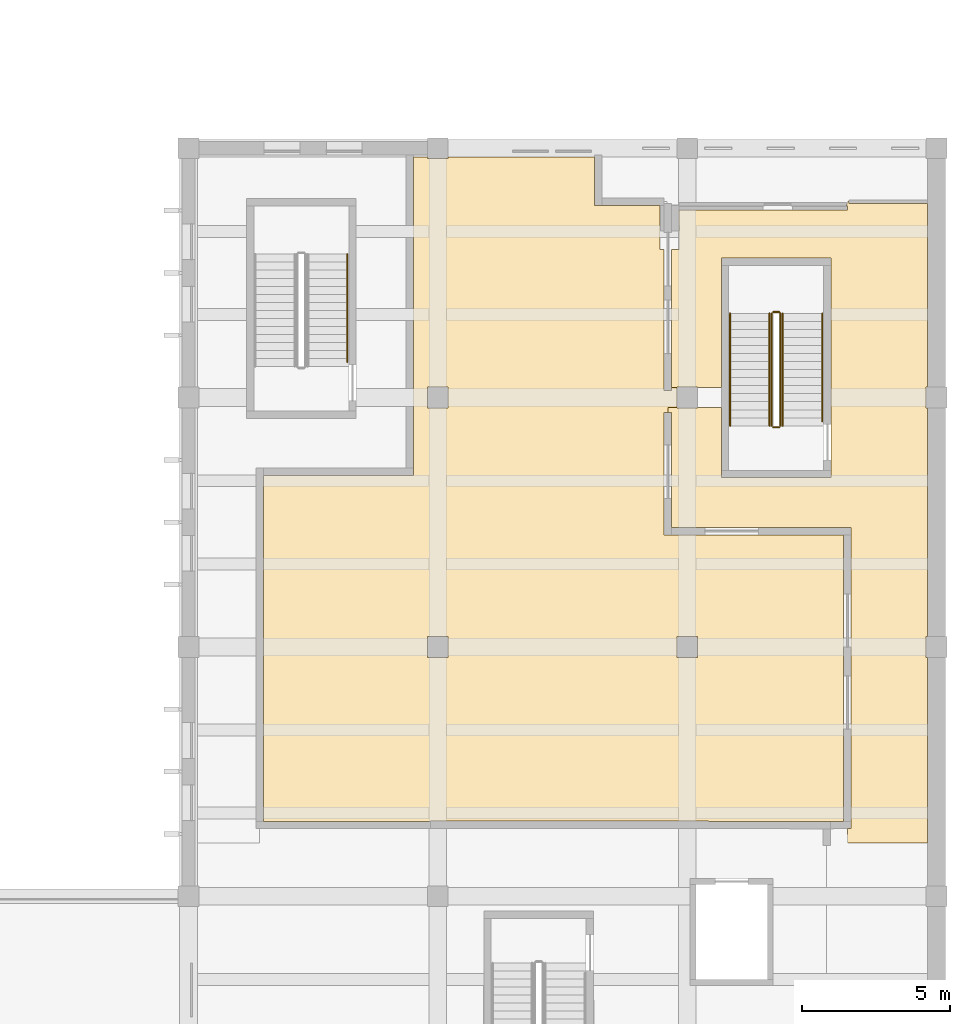
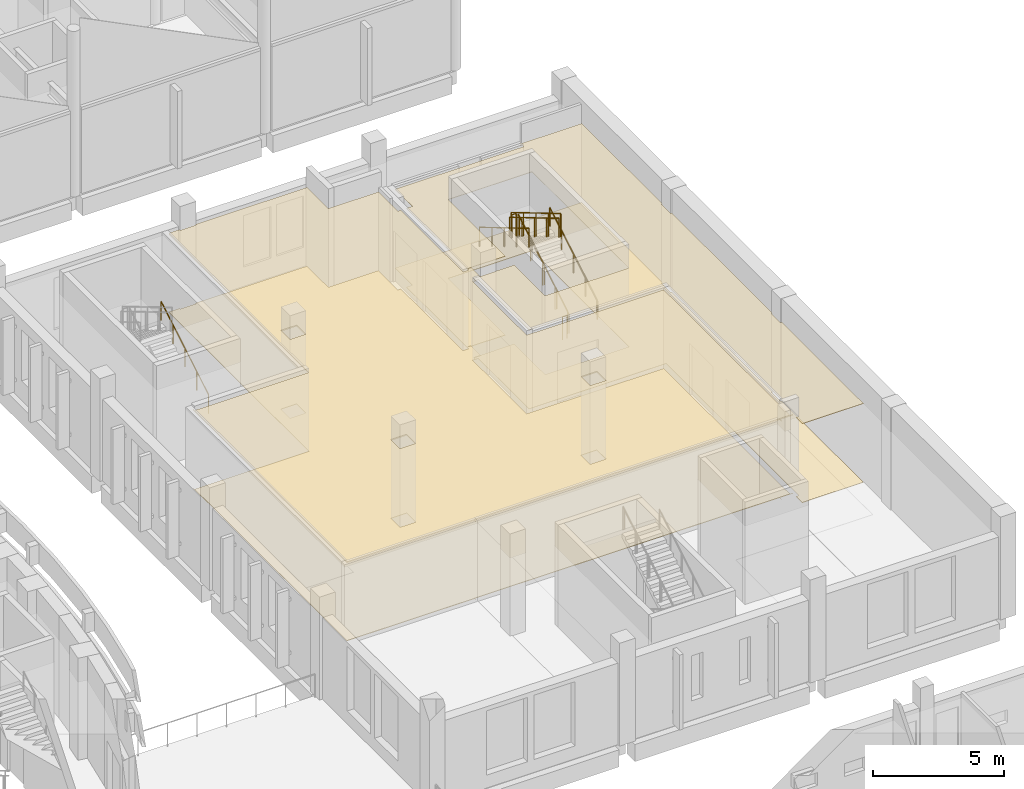
# One storey, part 117 of 119: 9 railings, 4 coverings.
"""IFC4 building model written with IfcOpenShell, lengths in metres."""

from ifc_helpers import new_model, si_unit, direction, frame, origin, origin_2d, place, context, subcontext, project, spatial, polyline, circle, outline, extrude, material, layer, layer_set, type_object, element, save


model = new_model("IFC4")

# Units and contexts
model_context = context("Model", 3, precision=1e-05, world=origin(), true_north=direction((0.0, 1.0)))
body_context = subcontext(model_context, "Body", "Model", "MODEL_VIEW")
ifc_project = project(units=[si_unit("LENGTHUNIT", "METRE"), si_unit("AREAUNIT", "SQUARE_METRE"), si_unit("VOLUMEUNIT", "CUBIC_METRE"), si_unit("PLANEANGLEUNIT", "RADIAN"), si_unit("MASSUNIT", "GRAM", prefix="KILO")], contexts=[model_context])

# Site, building, storey
site_placement = place(None, origin())
site = spatial("IfcSite", under=ifc_project, at=site_placement, CompositionType="ELEMENT")
building_placement = place(site_placement, origin())
building = spatial("IfcBuilding", under=site, at=building_placement, Name="Larchfold Concert Hall", CompositionType="ELEMENT")
storey_placement = place(building_placement, frame((0.0, 0.0, 4.800048828125)))
storey = spatial("IfcBuildingStorey", under=building, at=storey_placement, Name="L01", CompositionType="ELEMENT", Elevation=4.800048828125)

# Coverings
ifc_material_1 = material(Name="Acoustic timber lining", Category="wood")
ifc_layer_1 = layer(ifc_material_1, 0.06005859375)
ifc_layer_set_1 = layer_set([ifc_layer_1], Name="Acoustic timber lining")
covering_type_1 = type_object("IfcCoveringType", Name="Ceiling acoustic timber lining 60", PredefinedType="CEILING", material=ifc_layer_set_1)
covering_1_placement = place(storey_placement, frame((0.0, 0.0, 3.639892578125)))
element("IfcCovering", 1, at=covering_1_placement, inside=storey, type_object=covering_type_1, Name="Ceiling Chamber Music Hall", PredefinedType="CEILING", context=body_context, shape_type="SweptSolid", body=[
    extrude(outline(polyline([(78.725341796875, 90.375244140625), (78.72509765625, 90.500244140625), (78.72509765625, 78.72607421875), (84.34912109375, 78.72607421875), (84.34912109375, 78.6005859375), (84.350341796875, 78.737060546875), (97.82421875, 78.723876953125), (97.823974609375, 78.600341796875), (97.82470703125, 78.72509765625), (98.39990234375, 78.725830078125), (98.27490234375, 78.72607421875), (98.27490234375, 88.375), (98.39990234375, 88.375), (92.22705078125, 88.37890625), (92.22607421875, 92.5048828125), (92.35107421875, 92.5048828125), (92.35107421875, 92.6298828125), (92.6533203125, 92.630126953125), (92.68310546875, 92.64990234375), (92.64990234375, 92.64990234375), (92.64990234375, 93.35009765625), (92.688720703125, 93.35009765625), (92.65625, 93.36962890625), (92.47607421875, 93.369873046875), (92.47607421875, 93.2451171875), (92.22607421875, 93.2451171875), (92.225341796875, 97.993896484375), (92.091796875, 97.993896484375), (92.091796875, 99.47509765625), (89.87939453125, 99.476806640625), (89.875, 101.099853515625), (84.9501953125, 101.099853515625), (84.9501953125, 101.0498046875), (84.25, 101.0498046875), (84.25, 101.099853515625), (83.77490234375, 101.099853515625), (83.774169921875, 90.381103515625), (78.725341796875, 90.375244140625)]), holes=[polyline([(92.64990234375, 84.9501953125), (93.35009765625, 84.9501953125), (93.35009765625, 84.25), (92.64990234375, 84.25), (92.64990234375, 84.9501953125)]), polyline([(84.25, 84.25), (84.25, 84.9501953125), (84.9501953125, 84.9501953125), (84.9501953125, 84.25), (84.25, 84.25)]), polyline([(84.25, 93.35009765625), (84.9501953125, 93.35009765625), (84.9501953125, 92.64990234375), (84.25, 92.64990234375), (84.25, 93.35009765625)])]), origin(), (0.0, 0.0, 1.0), 0.06005859375),
])
ifc_material_2 = material(Name="Mineral fibre ceiling tile")
ifc_layer_2 = layer(ifc_material_2, 0.02001953125)
ifc_layer_set_2 = layer_set([ifc_layer_2], Name="Mineral fibre ceiling tile")
covering_type_2 = type_object("IfcCoveringType", Name="Ceiling mineral fibre tile 20", PredefinedType="CEILING", material=ifc_layer_set_2)
covering_2_placement = place(storey_placement, frame((0.0, 0.0, 3.679931640625)))
element("IfcCovering", 2, at=covering_2_placement, inside=storey, type_object=covering_type_2, Name="Ceiling Corridor 03", PredefinedType="CEILING", context=body_context, shape_type="SweptSolid", body=[
    extrude(outline(polyline([(92.47607421875, 92.5048828125), (92.47705078125, 88.5009765625), (92.47705078125, 88.62890625), (98.52490234375, 88.625), (98.525146484375, 78.47607421875), (98.39990234375, 78.475830078125), (98.39990234375, 78.0), (101.099853515625, 78.0), (101.099853515625, 84.25), (101.0498046875, 84.25), (101.0498046875, 84.9501953125), (101.099853515625, 84.9501953125), (101.099853515625, 92.64990234375), (101.0498046875, 92.64990234375), (101.0498046875, 93.35009765625), (101.099853515625, 93.35009765625), (101.099853515625, 99.53759765625), (98.452392578125, 99.53759765625), (98.452392578125, 99.60009765625), (98.389892578125, 99.60009765625), (98.389404296875, 99.525146484375), (98.3701171875, 99.50927734375), (98.3701171875, 99.45068359375), (98.406005859375, 99.45068359375), (98.406005859375, 99.3134765625), (92.733154296875, 99.3134765625), (92.734130859375, 97.994140625), (92.475341796875, 97.994140625), (92.47607421875, 93.340087890625), (92.64990234375, 93.33984375), (92.64990234375, 93.35009765625), (93.35009765625, 93.35009765625), (93.35009765625, 93.340087890625), (94.14990234375, 93.340087890625), (94.14990234375, 97.699951171875), (97.85009765625, 97.699951171875), (97.85009765625, 90.300048828125), (94.14990234375, 90.300048828125), (94.14990234375, 92.659912109375), (93.35009765625, 92.66455078125), (93.35009765625, 92.64990234375), (92.64990234375, 92.64990234375), (92.64990234375, 92.670166015625), (92.3505859375, 92.659912109375), (92.3505859375, 92.5048828125), (92.47607421875, 92.5048828125)])), origin(), (0.0, 0.0, 1.0), 0.02001953125),
])
ifc_material_3 = material(Name="Oak boards on battens")
ifc_layer_3 = layer(ifc_material_3, 0.02490234375)
ifc_layer_set_3 = layer_set([ifc_layer_3], Name="Oak boards on battens")
covering_type_3 = type_object("IfcCoveringType", Name="Floor finish timber boards 25", PredefinedType="FLOORING", material=ifc_layer_set_3)
covering_3_placement = place(storey_placement, origin())
element("IfcCovering", 3, at=covering_3_placement, inside=storey, type_object=covering_type_3, Name="Floor finish Chamber Music Hall", PredefinedType="FLOORING", context=body_context, shape_type="SweptSolid", body=[
    extrude(outline(polyline([(78.725341796875, 90.375244140625), (78.72509765625, 90.500244140625), (78.72509765625, 78.72607421875), (84.34912109375, 78.72607421875), (84.34912109375, 78.6005859375), (84.350341796875, 78.737060546875), (97.82421875, 78.723876953125), (97.823974609375, 78.600341796875), (97.82470703125, 78.72509765625), (98.39990234375, 78.725830078125), (98.27490234375, 78.72607421875), (98.27490234375, 88.375), (98.39990234375, 88.375), (92.22705078125, 88.37890625), (92.22607421875, 92.5048828125), (92.35107421875, 92.5048828125), (92.35107421875, 92.6298828125), (92.6533203125, 92.630126953125), (92.68310546875, 92.64990234375), (92.64990234375, 92.64990234375), (92.64990234375, 93.35009765625), (92.688720703125, 93.35009765625), (92.65625, 93.36962890625), (92.47607421875, 93.369873046875), (92.47607421875, 93.2451171875), (92.22607421875, 93.2451171875), (92.225341796875, 97.993896484375), (92.091796875, 97.993896484375), (92.091796875, 99.47509765625), (89.87939453125, 99.476806640625), (89.875, 101.099853515625), (84.9501953125, 101.099853515625), (84.9501953125, 101.0498046875), (84.25, 101.0498046875), (84.25, 101.099853515625), (83.77490234375, 101.099853515625), (83.774169921875, 90.381103515625), (78.725341796875, 90.375244140625)]), holes=[polyline([(92.64990234375, 84.9501953125), (93.35009765625, 84.9501953125), (93.35009765625, 84.25), (92.64990234375, 84.25), (92.64990234375, 84.9501953125)]), polyline([(84.25, 84.25), (84.25, 84.9501953125), (84.9501953125, 84.9501953125), (84.9501953125, 84.25), (84.25, 84.25)]), polyline([(84.25, 93.35009765625), (84.9501953125, 93.35009765625), (84.9501953125, 92.64990234375), (84.25, 92.64990234375), (84.25, 93.35009765625)])]), origin(), (0.0, 0.0, 1.0), 0.02490234375),
])
ifc_material_4 = material(Name="Linoleum sheet")
ifc_layer_4 = layer(ifc_material_4, 0.02001953125)
ifc_layer_set_4 = layer_set([ifc_layer_4], Name="Linoleum sheet")
covering_type_4 = type_object("IfcCoveringType", Name="Floor finish vinyl 20", PredefinedType="FLOORING", material=ifc_layer_set_4)
covering_4_placement = place(storey_placement, origin())
element("IfcCovering", 4, at=covering_4_placement, inside=storey, type_object=covering_type_4, Name="Floor finish Corridor 03", PredefinedType="FLOORING", context=body_context, shape_type="SweptSolid", body=[
    extrude(outline(polyline([(92.47607421875, 92.5048828125), (92.47705078125, 88.5009765625), (92.47705078125, 88.62890625), (98.52490234375, 88.625), (98.525146484375, 78.47607421875), (98.39990234375, 78.475830078125), (98.39990234375, 78.0), (101.099853515625, 78.0), (101.099853515625, 84.25), (101.0498046875, 84.25), (101.0498046875, 84.9501953125), (101.099853515625, 84.9501953125), (101.099853515625, 92.64990234375), (101.0498046875, 92.64990234375), (101.0498046875, 93.35009765625), (101.099853515625, 93.35009765625), (101.099853515625, 99.53759765625), (98.452392578125, 99.53759765625), (98.452392578125, 99.60009765625), (98.389892578125, 99.60009765625), (98.389404296875, 99.525146484375), (98.3701171875, 99.50927734375), (98.3701171875, 99.45068359375), (98.406005859375, 99.45068359375), (98.406005859375, 99.3134765625), (92.733154296875, 99.3134765625), (92.734130859375, 97.994140625), (92.475341796875, 97.994140625), (92.47607421875, 93.340087890625), (92.64990234375, 93.33984375), (92.64990234375, 93.35009765625), (93.35009765625, 93.35009765625), (93.35009765625, 93.340087890625), (94.14990234375, 93.340087890625), (94.14990234375, 97.699951171875), (97.85009765625, 97.699951171875), (97.85009765625, 90.300048828125), (94.14990234375, 90.300048828125), (94.14990234375, 92.659912109375), (93.35009765625, 92.66455078125), (93.35009765625, 92.64990234375), (92.64990234375, 92.64990234375), (92.64990234375, 92.670166015625), (92.3505859375, 92.659912109375), (92.3505859375, 92.5048828125), (92.47607421875, 92.5048828125)])), origin(), (0.0, 0.0, 1.0), 0.02001953125),
])

# Railings
ifc_material_5 = material(Name="Stainless steel balustrade", Category="steel")
railing_type_1 = type_object("IfcRailingType", Name="Stair guard 1100", PredefinedType="GUARDRAIL", material=ifc_material_5)
railing_1_placement = place(storey_placement, frame((96.150146484375, 92.050048828125, 0.159912109375)))
element("IfcRailing", 5, at=railing_1_placement, inside=storey, type_object=railing_type_1, Name="Guard GR0071", PredefinedType="GUARDRAIL", context=body_context, shape_type="SweptSolid", body=[
    extrude(circle(Radius=0.02392578125, at=origin_2d()), frame((0.0, 0.0, 1.076171875), z_axis=(0.0, 0.860294241299, 0.509797821089), x_axis=(-1.0, 0.0, 0.0)), (0.0, 0.0, 1.0), 4.393798828125),
    extrude(circle(Radius=0.02099609375, at=origin_2d()), origin(), (0.0, 0.0, 1.0), 1.052001953125),
    extrude(circle(Radius=0.02099609375, at=origin_2d()), frame((0.0, 0.945068359375, 0.56005859375)), (0.0, 0.0, 1.0), 1.052001953125),
    extrude(circle(Radius=0.02099609375, at=origin_2d()), frame((0.0, 1.89013671875, 1.1201171875)), (0.0, 0.0, 1.0), 1.052001953125),
    extrude(circle(Radius=0.02099609375, at=origin_2d()), frame((0.0, 2.8349609375, 1.679931640625)), (0.0, 0.0, 1.0), 1.052001953125),
    extrude(circle(Radius=0.02099609375, at=origin_2d()), frame((0.0, 3.780029296875, 2.239990234375)), (0.0, 0.0, 1.0), 1.052001953125),
])
railing_2_placement = place(storey_placement, frame((96.10009765625, 95.880126953125, 2.39990234375)))
element("IfcRailing", 6, at=railing_2_placement, inside=storey, type_object=railing_type_1, Name="Guard GR0072", PredefinedType="GUARDRAIL", context=body_context, shape_type="SweptSolid", body=[
    extrude(circle(Radius=0.02392578125, at=origin_2d()), frame((0.0, 0.0, 1.076171875), z_axis=(-1.0, 0.0, 0.0), x_axis=(0.0, -1.0, 0.0)), (0.0, 0.0, 1.0), 0.199951171875),
    extrude(circle(Radius=0.02099609375, at=origin_2d()), origin(), (0.0, 0.0, 1.0), 1.052001953125),
    extrude(circle(Radius=0.02099609375, at=origin_2d()), frame((-0.199951171875, 0.0, 0.0)), (0.0, 0.0, 1.0), 1.052001953125),
])
railing_3_placement = place(storey_placement, frame((95.85009765625, 95.830078125, 2.56005859375)))
element("IfcRailing", 7, at=railing_3_placement, inside=storey, type_object=railing_type_1, Name="Guard GR0073", PredefinedType="GUARDRAIL", context=body_context, shape_type="SweptSolid", body=[
    extrude(circle(Radius=0.02392578125, at=origin_2d()), frame((0.0, 0.0, 1.076171875), z_axis=(0.0, -0.860294241299, 0.509797821089), x_axis=(1.0, 0.0, 0.0)), (0.0, 0.0, 1.0), 4.393798828125),
    extrude(circle(Radius=0.02099609375, at=origin_2d()), origin(), (0.0, 0.0, 1.0), 1.052001953125),
    extrude(circle(Radius=0.02099609375, at=origin_2d()), frame((0.0, -0.945068359375, 0.56005859375)), (0.0, 0.0, 1.0), 1.052001953125),
    extrude(circle(Radius=0.02099609375, at=origin_2d()), frame((0.0, -1.89013671875, 1.1201171875)), (0.0, 0.0, 1.0), 1.052001953125),
    extrude(circle(Radius=0.02099609375, at=origin_2d()), frame((0.0, -2.8349609375, 1.679931640625)), (0.0, 0.0, 1.0), 1.052001953125),
    extrude(circle(Radius=0.02099609375, at=origin_2d()), frame((0.0, -3.780029296875, 2.239990234375)), (0.0, 0.0, 1.0), 1.052001953125),
])
railing_4_placement = place(storey_placement, frame((96.10009765625, 92.0, 0.0)))
element("IfcRailing", 8, at=railing_4_placement, inside=storey, type_object=railing_type_1, Name="Guard GR0074", PredefinedType="GUARDRAIL", context=body_context, shape_type="SweptSolid", body=[
    extrude(circle(Radius=0.02392578125, at=origin_2d()), frame((0.0, 0.0, 1.076171875), z_axis=(-1.0, 0.0, 0.0), x_axis=(0.0, -1.0, 0.0)), (0.0, 0.0, 1.0), 0.199951171875),
    extrude(circle(Radius=0.02099609375, at=origin_2d()), origin(), (0.0, 0.0, 1.0), 1.052001953125),
    extrude(circle(Radius=0.02099609375, at=origin_2d()), frame((-0.199951171875, 0.0, 0.0)), (0.0, 0.0, 1.0), 1.052001953125),
])
ifc_material_6 = material(Name="Stainless steel handrail", Category="steel")
railing_type_2 = type_object("IfcRailingType", Name="Stair handrail 900", PredefinedType="HANDRAIL", material=ifc_material_6)
for number, where, name in (
    (9, (81.550048828125, 94.2001953125, 0.248779296875), "Handrail HR0065"),
    (10, (97.550048828125, 92.2001953125, 0.248779296875), "Handrail HR0069"),
):
    element("IfcRailing", number, at=place(storey_placement, frame(where)), inside=storey, type_object=railing_type_2, Name=name, PredefinedType="HANDRAIL", context=body_context, shape_type="SweptSolid", body=[
        extrude(circle(Radius=0.02392578125, at=origin_2d()), frame((0.0, 0.0, 0.8759765625), z_axis=(0.0, 0.860283074592, 0.509816664665), x_axis=(-1.0, 0.0, 0.0)), (0.0, 0.0, 1.0), 4.219482421875),
        extrude(circle(Radius=0.02099609375, at=origin_2d()), origin(), (0.0, 0.0, 1.0), 0.851806640625),
        extrude(circle(Radius=0.02099609375, at=origin_2d()), frame((0.0, 0.907470703125, 0.537841796875)), (0.0, 0.0, 1.0), 0.851806640625),
        extrude(circle(Radius=0.02099609375, at=origin_2d()), frame((0.0, 1.81494140625, 1.07568359375)), (0.0, 0.0, 1.0), 0.851806640625),
        extrude(circle(Radius=0.02099609375, at=origin_2d()), frame((0.0, 2.722412109375, 1.61328125)), (0.0, 0.0, 1.0), 0.851806640625),
        extrude(circle(Radius=0.02099609375, at=origin_2d()), frame((0.0, 3.6298828125, 2.151123046875)), (0.0, 0.0, 1.0), 0.851806640625),
    ])
railing_5_placement = place(storey_placement, frame((94.4501953125, 95.830078125, 2.56005859375)))
element("IfcRailing", 11, at=railing_5_placement, inside=storey, type_object=railing_type_2, Name="Handrail HR0070", PredefinedType="HANDRAIL", context=body_context, shape_type="SweptSolid", body=[
    extrude(circle(Radius=0.02392578125, at=origin_2d()), frame((0.0, 0.0, 0.8759765625), z_axis=(0.0, -0.860294241299, 0.509797821089), x_axis=(1.0, 0.0, 0.0)), (0.0, 0.0, 1.0), 4.393798828125),
    extrude(circle(Radius=0.02099609375, at=origin_2d()), origin(), (0.0, 0.0, 1.0), 0.851806640625),
    extrude(circle(Radius=0.02099609375, at=origin_2d()), frame((0.0, -0.945068359375, 0.56005859375)), (0.0, 0.0, 1.0), 0.851806640625),
    extrude(circle(Radius=0.02099609375, at=origin_2d()), frame((0.0, -1.89013671875, 1.1201171875)), (0.0, 0.0, 1.0), 0.851806640625),
    extrude(circle(Radius=0.02099609375, at=origin_2d()), frame((0.0, -2.8349609375, 1.679931640625)), (0.0, 0.0, 1.0), 0.851806640625),
    extrude(circle(Radius=0.02099609375, at=origin_2d()), frame((0.0, -3.780029296875, 2.239990234375)), (0.0, 0.0, 1.0), 0.851806640625),
])
railing_6_placement = place(storey_placement, frame((96.22021484375, 92.050048828125, 0.159912109375)))
element("IfcRailing", 12, at=railing_6_placement, inside=storey, type_object=railing_type_2, Name="Handrail HR0071", PredefinedType="HANDRAIL", context=body_context, shape_type="SweptSolid", body=[
    extrude(circle(Radius=0.02392578125, at=origin_2d()), frame((0.0, 0.0, 0.8759765625), z_axis=(0.0, 0.860294241299, 0.509797821089), x_axis=(-1.0, 0.0, 0.0)), (0.0, 0.0, 1.0), 4.393798828125),
    extrude(circle(Radius=0.02099609375, at=origin_2d()), origin(), (0.0, 0.0, 1.0), 0.851806640625),
    extrude(circle(Radius=0.02099609375, at=origin_2d()), frame((0.0, 0.945068359375, 0.56005859375)), (0.0, 0.0, 1.0), 0.851806640625),
    extrude(circle(Radius=0.02099609375, at=origin_2d()), frame((0.0, 1.89013671875, 1.1201171875)), (0.0, 0.0, 1.0), 0.851806640625),
    extrude(circle(Radius=0.02099609375, at=origin_2d()), frame((0.0, 2.8349609375, 1.679931640625)), (0.0, 0.0, 1.0), 0.851806640625),
    extrude(circle(Radius=0.02099609375, at=origin_2d()), frame((0.0, 3.780029296875, 2.239990234375)), (0.0, 0.0, 1.0), 0.851806640625),
])
railing_7_placement = place(storey_placement, frame((95.780029296875, 95.830078125, 2.56005859375)))
element("IfcRailing", 13, at=railing_7_placement, inside=storey, type_object=railing_type_2, Name="Handrail HR0072", PredefinedType="HANDRAIL", context=body_context, shape_type="SweptSolid", body=[
    extrude(circle(Radius=0.02392578125, at=origin_2d()), frame((0.0, 0.0, 0.8759765625), z_axis=(0.0, -0.860294241299, 0.509797821089), x_axis=(1.0, 0.0, 0.0)), (0.0, 0.0, 1.0), 4.393798828125),
    extrude(circle(Radius=0.02099609375, at=origin_2d()), origin(), (0.0, 0.0, 1.0), 0.851806640625),
    extrude(circle(Radius=0.02099609375, at=origin_2d()), frame((0.0, -0.945068359375, 0.56005859375)), (0.0, 0.0, 1.0), 0.851806640625),
    extrude(circle(Radius=0.02099609375, at=origin_2d()), frame((0.0, -1.89013671875, 1.1201171875)), (0.0, 0.0, 1.0), 0.851806640625),
    extrude(circle(Radius=0.02099609375, at=origin_2d()), frame((0.0, -2.8349609375, 1.679931640625)), (0.0, 0.0, 1.0), 0.851806640625),
    extrude(circle(Radius=0.02099609375, at=origin_2d()), frame((0.0, -3.780029296875, 2.239990234375)), (0.0, 0.0, 1.0), 0.851806640625),
])

save(model, "model.ifc")
